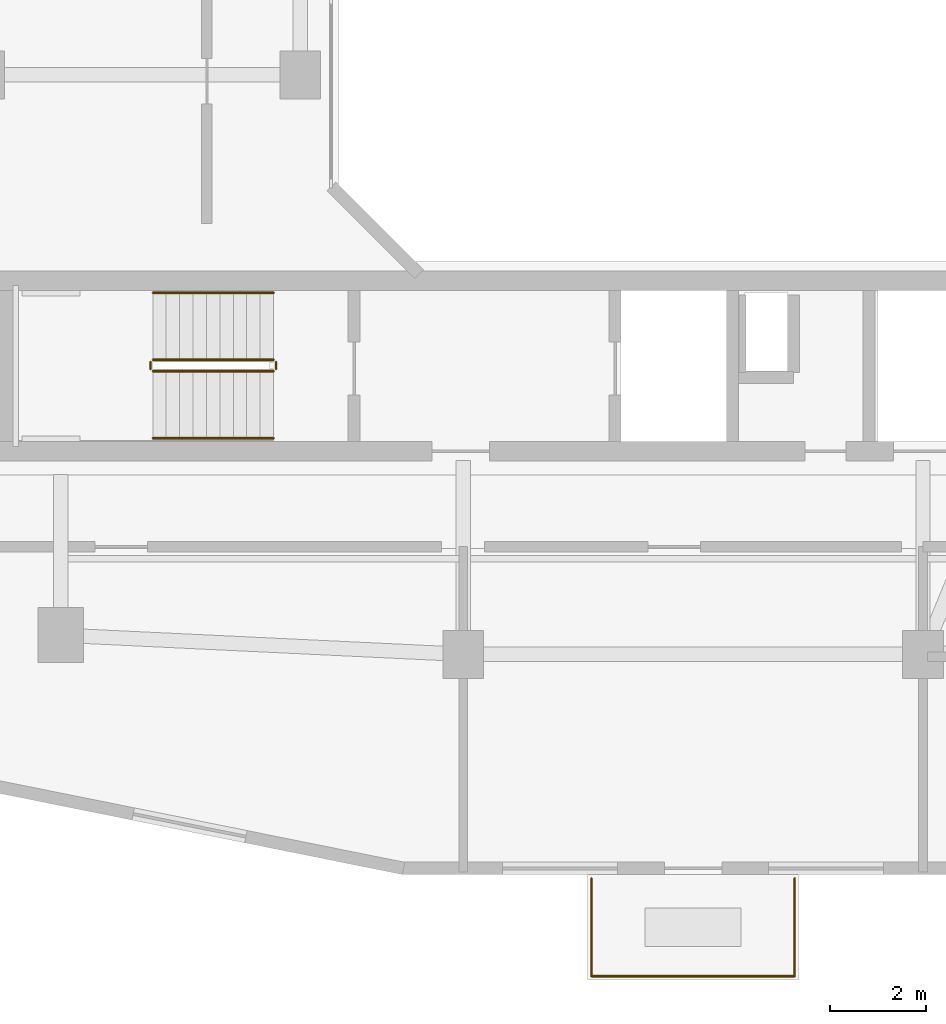
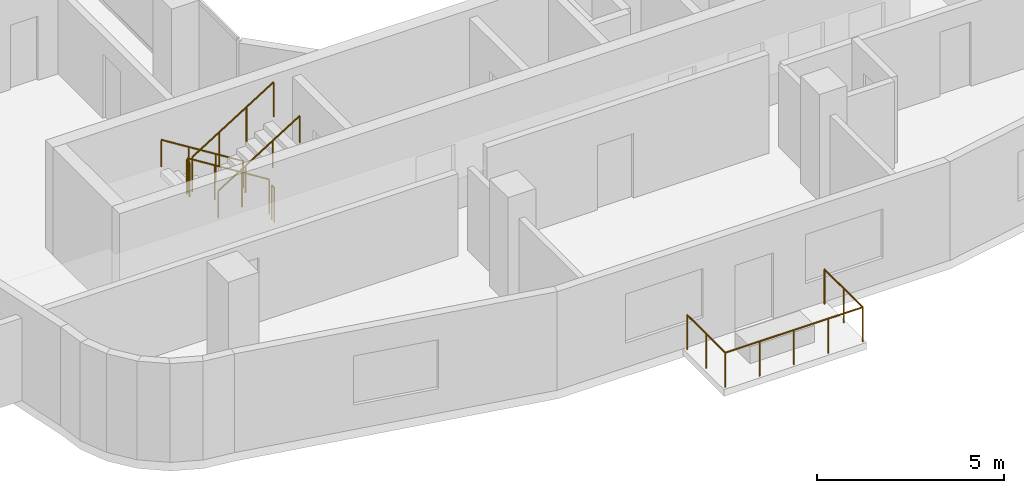
# One storey, part 18 of 22: 9 railings.
"""IFC4 building model written with IfcOpenShell, lengths in metres."""

from ifc_helpers import new_model, si_unit, derived_unit, direction, frame, origin, origin_2d, place, context, subcontext, project, spatial, circle, extrude, material, type_object, element, save


model = new_model("IFC4")

# Units and contexts
model_context = context("Model", 3, precision=1e-05, world=origin(), true_north=direction((0.0, 1.0)))
body_context = subcontext(model_context, "Body", "Model", "MODEL_VIEW")
ifc_project = project(units=[si_unit("LENGTHUNIT", "METRE"), si_unit("AREAUNIT", "SQUARE_METRE"), si_unit("VOLUMEUNIT", "CUBIC_METRE"), si_unit("PLANEANGLEUNIT", "RADIAN"), si_unit("MASSUNIT", "GRAM", prefix="KILO"), derived_unit("THERMALTRANSMITTANCEUNIT", [(si_unit("POWERUNIT", "WATT"), 1), (si_unit("LENGTHUNIT", "METRE"), -2), (si_unit("THERMODYNAMICTEMPERATUREUNIT", "KELVIN"), -1)])], contexts=[model_context])

# Site, building, storey
site_placement = place(None, origin())
site = spatial("IfcSite", under=ifc_project, at=site_placement, CompositionType="ELEMENT")
building_placement = place(site_placement, origin())
building = spatial("IfcBuilding", under=site, at=building_placement, Name="Kivonza Crest Hotel", CompositionType="ELEMENT")
storey_placement = place(building_placement, frame((0.0, 0.0, 124.0)))
storey = spatial("IfcBuildingStorey", under=building, at=storey_placement, Name="L33", CompositionType="ELEMENT", Elevation=124.0)

# Railings
ifc_material_1 = material(Name="Brushed stainless steel handrail", Category="steel")
railing_type_1 = type_object("IfcRailingType", Name="RL-HAND-900", PredefinedType="HANDRAIL", material=ifc_material_1)
railing_1_placement = place(storey_placement, frame((12.239990234375, 16.949951171875, 0.175048828125)))
element("IfcRailing", 1, at=railing_1_placement, inside=storey, type_object=railing_type_1, Name="L33 ST-T1-S stair handrail 1", PredefinedType="HANDRAIL", context=body_context, shape_type="SweptSolid", body=[
    extrude(circle(Radius=0.02392578125, at=origin_2d()), frame((0.0, 0.0, 0.8759765625), z_axis=(-0.848007534815, 0.0, 0.529984170421), x_axis=(0.0, -1.0, 0.0)), (0.0, 0.0, 1.0), 2.9716796875),
    extrude(circle(Radius=0.02099609375, at=origin_2d()), origin(), (0.0, 0.0, 1.0), 0.851806640625),
    extrude(circle(Radius=0.02099609375, at=origin_2d()), frame((-0.840087890625, 0.0, 0.52490234375)), (0.0, 0.0, 1.0), 0.851806640625),
    extrude(circle(Radius=0.02099609375, at=origin_2d()), frame((-1.679931640625, 0.0, 1.050048828125)), (0.0, 0.0, 1.0), 0.851806640625),
    extrude(circle(Radius=0.02099609375, at=origin_2d()), frame((-2.52001953125, 0.0, 1.574951171875)), (0.0, 0.0, 1.0), 0.851806640625),
])
railing_2_placement = place(storey_placement, frame((9.719970703125, 13.909912109375, 1.925048828125)))
element("IfcRailing", 2, at=railing_2_placement, inside=storey, type_object=railing_type_1, Name="L33 ST-T1-S stair handrail 2", PredefinedType="HANDRAIL", context=body_context, shape_type="SweptSolid", body=[
    extrude(circle(Radius=0.02392578125, at=origin_2d()), frame((0.0, 0.0, 0.8759765625), z_axis=(0.848007534815, 0.0, 0.529984170421), x_axis=(0.0, 1.0, 0.0)), (0.0, 0.0, 1.0), 2.9716796875),
    extrude(circle(Radius=0.02099609375, at=origin_2d()), origin(), (0.0, 0.0, 1.0), 0.851806640625),
    extrude(circle(Radius=0.02099609375, at=origin_2d()), frame((0.840087890625, 0.0, 0.52490234375)), (0.0, 0.0, 1.0), 0.851806640625),
    extrude(circle(Radius=0.02099609375, at=origin_2d()), frame((1.679931640625, 0.0, 1.050048828125)), (0.0, 0.0, 1.0), 0.851806640625),
    extrude(circle(Radius=0.02099609375, at=origin_2d()), frame((2.52001953125, 0.0, 1.574951171875)), (0.0, 0.0, 1.0), 0.851806640625),
])
ifc_material_2 = material(Name="Painted steel balustrade", Category="steel")
railing_type_2 = type_object("IfcRailingType", Name="RL-STAIR-1150", PredefinedType="BALUSTRADE", material=ifc_material_2)
railing_3_placement = place(storey_placement, frame((12.239990234375, 15.550048828125, 0.175048828125)))
element("IfcRailing", 3, at=railing_3_placement, inside=storey, type_object=railing_type_2, Name="L33 ST-T1-S stair guard 1", PredefinedType="BALUSTRADE", context=body_context, shape_type="SweptSolid", body=[
    extrude(circle(Radius=0.02392578125, at=origin_2d()), frame((0.0, 0.0, 1.1259765625), z_axis=(-0.848007534815, 0.0, 0.529984170421), x_axis=(0.0, -1.0, 0.0)), (0.0, 0.0, 1.0), 2.9716796875),
    extrude(circle(Radius=0.02099609375, at=origin_2d()), origin(), (0.0, 0.0, 1.0), 1.101806640625),
    extrude(circle(Radius=0.02099609375, at=origin_2d()), frame((-0.840087890625, 0.0, 0.52490234375)), (0.0, 0.0, 1.0), 1.101806640625),
    extrude(circle(Radius=0.02099609375, at=origin_2d()), frame((-1.679931640625, 0.0, 1.050048828125)), (0.0, 0.0, 1.0), 1.101806640625),
    extrude(circle(Radius=0.02099609375, at=origin_2d()), frame((-2.52001953125, 0.0, 1.574951171875)), (0.0, 0.0, 1.0), 1.101806640625),
])
railing_4_placement = place(storey_placement, frame((9.669921875, 15.5, 1.75)))
element("IfcRailing", 4, at=railing_4_placement, inside=storey, type_object=railing_type_2, Name="L33 ST-T1-S stair guard 2", PredefinedType="BALUSTRADE", context=body_context, shape_type="SweptSolid", body=[
    extrude(circle(Radius=0.02392578125, at=origin_2d()), frame((0.0, 0.0, 1.1259765625), z_axis=(0.0, -1.0, 0.0), x_axis=(1.0, 0.0, 0.0)), (0.0, 0.0, 1.0), 0.139892578125),
    extrude(circle(Radius=0.02099609375, at=origin_2d()), origin(), (0.0, 0.0, 1.0), 1.101806640625),
    extrude(circle(Radius=0.02099609375, at=origin_2d()), frame((0.0, -0.139892578125, 0.0)), (0.0, 0.0, 1.0), 1.101806640625),
])
railing_5_placement = place(storey_placement, frame((9.719970703125, 15.31005859375, 1.925048828125)))
element("IfcRailing", 5, at=railing_5_placement, inside=storey, type_object=railing_type_2, Name="L33 ST-T1-S stair guard 3", PredefinedType="BALUSTRADE", context=body_context, shape_type="SweptSolid", body=[
    extrude(circle(Radius=0.02392578125, at=origin_2d()), frame((0.0, 0.0, 1.1259765625), z_axis=(0.848007534815, 0.0, 0.529984170421), x_axis=(0.0, 1.0, 0.0)), (0.0, 0.0, 1.0), 2.9716796875),
    extrude(circle(Radius=0.02099609375, at=origin_2d()), origin(), (0.0, 0.0, 1.0), 1.101806640625),
    extrude(circle(Radius=0.02099609375, at=origin_2d()), frame((0.840087890625, 0.0, 0.52490234375)), (0.0, 0.0, 1.0), 1.101806640625),
    extrude(circle(Radius=0.02099609375, at=origin_2d()), frame((1.679931640625, 0.0, 1.050048828125)), (0.0, 0.0, 1.0), 1.101806640625),
    extrude(circle(Radius=0.02099609375, at=origin_2d()), frame((2.52001953125, 0.0, 1.574951171875)), (0.0, 0.0, 1.0), 1.101806640625),
])
railing_6_placement = place(storey_placement, frame((12.2900390625, 15.5, 0.0)))
element("IfcRailing", 6, at=railing_6_placement, inside=storey, type_object=railing_type_2, Name="L33 ST-T1-S stair guard 4", PredefinedType="BALUSTRADE", context=body_context, shape_type="SweptSolid", body=[
    extrude(circle(Radius=0.02392578125, at=origin_2d()), frame((0.0, 0.0, 1.1259765625), z_axis=(0.0, -1.0, 0.0), x_axis=(1.0, 0.0, 0.0)), (0.0, 0.0, 1.0), 0.139892578125),
    extrude(circle(Radius=0.02099609375, at=origin_2d()), origin(), (0.0, 0.0, 1.0), 1.101806640625),
    extrude(circle(Radius=0.02099609375, at=origin_2d()), frame((0.0, -0.139892578125, 0.0)), (0.0, 0.0, 1.0), 1.101806640625),
])
ifc_material_3 = material(Name="Laminated glass and stainless steel balustrade", Category="steel")
railing_type_3 = type_object("IfcRailingType", Name="RL-TERR-1150", PredefinedType="BALUSTRADE", material=ifc_material_3)
railing_7_placement = place(storey_placement, frame((18.8798828125, 2.679931640625, 0.0)))
element("IfcRailing", 7, at=railing_7_placement, inside=storey, type_object=railing_type_3, Name="L33 T1-L33-SG-SW perimeter safety balustrade 1", PredefinedType="BALUSTRADE", context=body_context, shape_type="SweptSolid", body=[
    extrude(circle(Radius=0.02392578125, at=origin_2d()), frame((0.0, 0.0, 1.1259765625), z_axis=(0.0, 1.0, 0.0), x_axis=(-1.0, 0.0, 0.0)), (0.0, 0.0, 1.0), 2.0400390625),
    extrude(circle(Radius=0.02099609375, at=origin_2d()), origin(), (0.0, 0.0, 1.0), 1.101806640625),
    extrude(circle(Radius=0.02099609375, at=origin_2d()), frame((0.0, 1.02001953125, 0.0)), (0.0, 0.0, 1.0), 1.101806640625),
    extrude(circle(Radius=0.02099609375, at=origin_2d()), frame((0.0, 2.0400390625, 0.0)), (0.0, 0.0, 1.0), 1.101806640625),
])
railing_8_placement = place(storey_placement, frame((23.1201171875, 4.719970703125, 0.0)))
element("IfcRailing", 8, at=railing_8_placement, inside=storey, type_object=railing_type_3, Name="L33 T1-L33-SG-SW perimeter safety balustrade 2", PredefinedType="BALUSTRADE", context=body_context, shape_type="SweptSolid", body=[
    extrude(circle(Radius=0.02392578125, at=origin_2d()), frame((0.0, 0.0, 1.1259765625), z_axis=(0.0, -1.0, 0.0), x_axis=(1.0, 0.0, 0.0)), (0.0, 0.0, 1.0), 2.0400390625),
    extrude(circle(Radius=0.02099609375, at=origin_2d()), origin(), (0.0, 0.0, 1.0), 1.101806640625),
    extrude(circle(Radius=0.02099609375, at=origin_2d()), frame((0.0, -1.02001953125, 0.0)), (0.0, 0.0, 1.0), 1.101806640625),
    extrude(circle(Radius=0.02099609375, at=origin_2d()), frame((0.0, -2.0400390625, 0.0)), (0.0, 0.0, 1.0), 1.101806640625),
])
railing_9_placement = place(storey_placement, frame((23.1201171875, 2.679931640625, 0.0)))
element("IfcRailing", 9, at=railing_9_placement, inside=storey, type_object=railing_type_3, Name="L33 T1-L33-SG-SW perimeter safety balustrade 3", PredefinedType="BALUSTRADE", context=body_context, shape_type="SweptSolid", body=[
    extrude(circle(Radius=0.02392578125, at=origin_2d()), frame((0.0, 0.0, 1.1259765625), z_axis=(-1.0, 0.0, 0.0), x_axis=(0.0, -1.0, 0.0)), (0.0, 0.0, 1.0), 4.240234375),
    extrude(circle(Radius=0.02099609375, at=origin_2d()), origin(), (0.0, 0.0, 1.0), 1.101806640625),
    extrude(circle(Radius=0.02099609375, at=origin_2d()), frame((-1.06005859375, 0.0, 0.0)), (0.0, 0.0, 1.0), 1.101806640625),
    extrude(circle(Radius=0.02099609375, at=origin_2d()), frame((-2.1201171875, 0.0, 0.0)), (0.0, 0.0, 1.0), 1.101806640625),
    extrude(circle(Radius=0.02099609375, at=origin_2d()), frame((-3.18017578125, 0.0, 0.0)), (0.0, 0.0, 1.0), 1.101806640625),
    extrude(circle(Radius=0.02099609375, at=origin_2d()), frame((-4.240234375, 0.0, 0.0)), (0.0, 0.0, 1.0), 1.101806640625),
])

save(model, "model.ifc")
